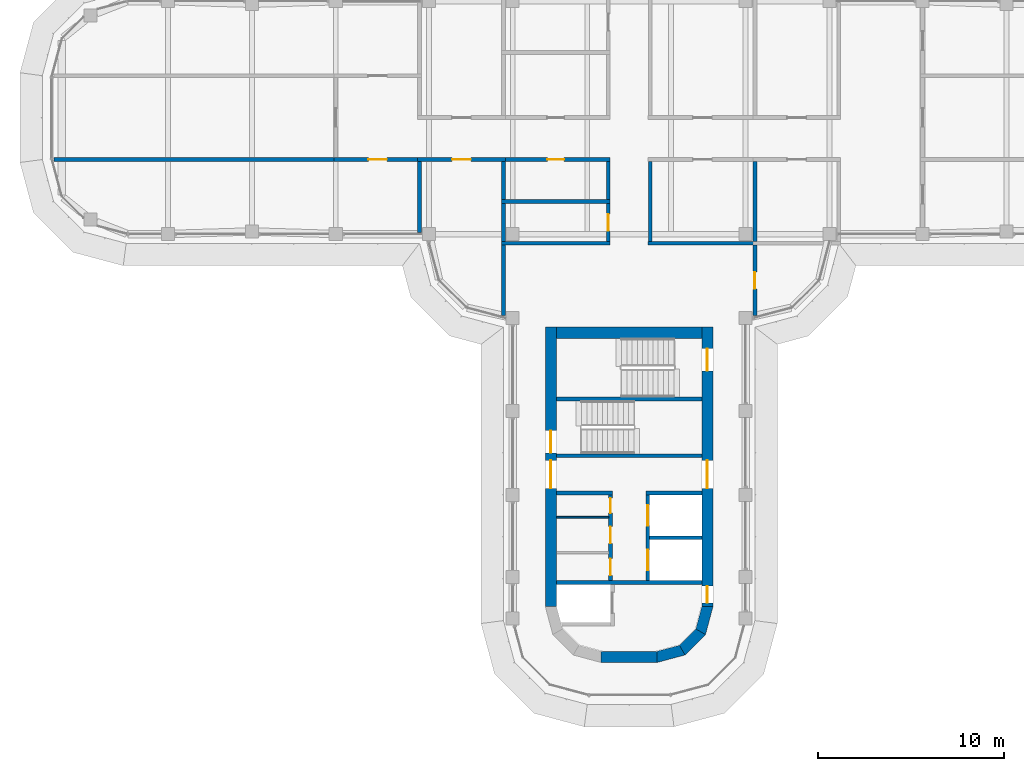
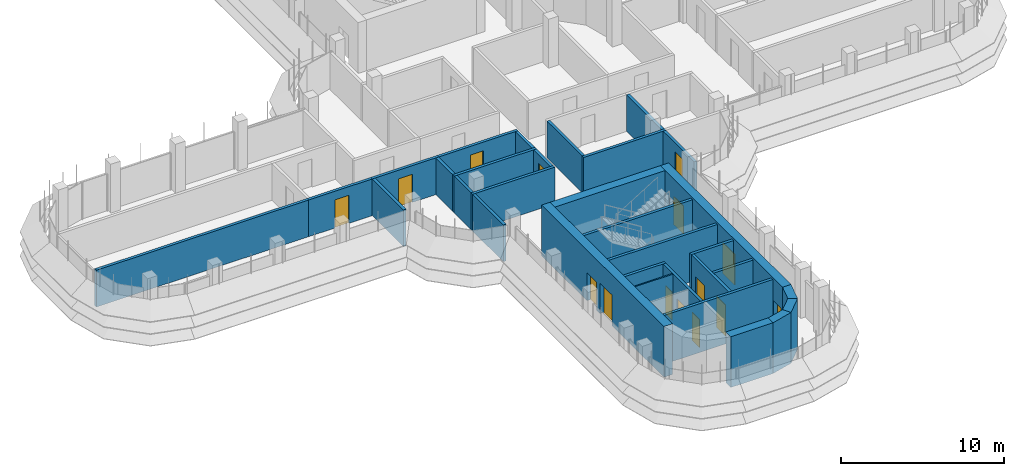
# One storey, part 13 of 19: 32 walls, 15 doors, 15 openings.
"""IFC4 building model written with IfcOpenShell, lengths in metres."""

from ifc_helpers import new_model, si_unit, direction, frame, frame_2d, origin, place, context, subcontext, project, spatial, polyline, rectangle, outline, extrude, material, layer, layer_set, type_object, element, fill, save


model = new_model("IFC4")

# Units and contexts
model_context = context("Model", 3, precision=1e-05, world=origin(), true_north=direction((0.0, 1.0)))
body_context = subcontext(model_context, "Body", "Model", "MODEL_VIEW")
ifc_project = project(units=[si_unit("LENGTHUNIT", "METRE"), si_unit("AREAUNIT", "SQUARE_METRE"), si_unit("VOLUMEUNIT", "CUBIC_METRE"), si_unit("PLANEANGLEUNIT", "RADIAN"), si_unit("MASSUNIT", "GRAM", prefix="KILO")], contexts=[model_context])

# Site, building, storey
site_placement = place(None, origin())
site = spatial("IfcSite", under=ifc_project, at=site_placement, CompositionType="ELEMENT")
building_placement = place(site_placement, origin())
building = spatial("IfcBuilding", under=site, at=building_placement, Name="Zarbagh Exchange Tower", CompositionType="ELEMENT")
storey_placement = place(building_placement, frame((0.0, 0.0, 199.199951171875)))
storey = spatial("IfcBuildingStorey", under=building, at=storey_placement, Name="L48", CompositionType="ELEMENT", Elevation=199.199951171875)

# Wall
ifc_material_1 = material(Name="Dense blockwork", Category="masonry")
ifc_layer_1 = layer(ifc_material_1, 0.10009765625)
ifc_layer_set_1 = layer_set([ifc_layer_1], Name="Core partition 100 mm blockwork")
wall_type_1 = type_object("IfcWallType", Name="Core partition 100 mm blockwork", PredefinedType="PARTITIONING", material=ifc_layer_set_1)
wall_1_placement = place(storey_placement, frame((-1.10009765625, -21.449951171875, 0.0), z_axis=(0.0, 0.0, 1.0), x_axis=(-1.0, 0.0, 0.0)))
element("IfcWall", 1, at=wall_1_placement, inside=storey, type_object=wall_type_1, Name="South core partition wall CUT-E-690", PredefinedType="PARTITIONING", context=body_context, shape_type="SweptSolid", body=[
    extrude(rectangle(XDim=2.7998046875, YDim=0.10009765625, at=frame_2d((1.39990234375, 0.0))), origin(), (0.0, 0.0, 1.0), 3.650146484375),
])

# Wall, opening, door
ifc_material_2 = material(Name="Fire-rated plasterboard partition")
ifc_layer_2 = layer(ifc_material_2, 0.199951171875)
ifc_layer_set_2 = layer_set([ifc_layer_2], Name="RATED PARTITION 200")
wall_type_2 = type_object("IfcWallType", Name="RATED PARTITION 200", PredefinedType="PARTITIONING", material=ifc_layer_set_2)
wall_2_placement = place(storey_placement, frame((-1.02490234375, -2.25, 0.0), z_axis=(0.0, 0.0, 1.0), x_axis=(-1.0, 0.0, 0.0)))
wall_2 = element("IfcWall", 2, at=wall_2_placement, inside=storey, type_object=wall_type_2, Name="Partition W-2107", PredefinedType="PARTITIONING", context=body_context, shape_type="SweptSolid", body=[
    extrude(rectangle(XDim=5.8251953125, YDim=0.199951171875, at=frame_2d((2.91259765625, 0.0))), origin(), (0.0, 0.0, 1.0), 2.75),
])
opening_1_placement = place(wall_2_placement, frame((2.46240234375, 0.0, 0.0)))
opening_1 = element("IfcOpeningElement", 3, at=opening_1_placement, cuts=wall_2, Name="Opening D-2112", PredefinedType="OPENING", context=body_context, shape_type="SweptSolid", body=[
    extrude(rectangle(XDim=0.89990234375, YDim=2.10009765625, at=frame_2d((0.449951171875, 1.050048828125))), frame((0.0, 0.10986328125, 0.0), z_axis=(0.0, -1.0, 0.0), x_axis=(1.0, 0.0, 0.0)), (0.0, 0.0, 1.0), 0.219970703125),
])
ifc_material_3 = material(Name="Timber door leaf", Category="wood")
door_type_1 = type_object("IfcDoorType", Name="DOOR 900 X 2100", OperationType="NOTDEFINED", PredefinedType="DOOR", material=ifc_material_3)
door_1_placement = place(opening_1_placement, origin())
door_1 = element("IfcDoor", 4, at=door_1_placement, inside=storey, type_object=door_type_1, Name="Door D-2112", OperationType="SINGLE_SWING_RIGHT", OverallHeight=2.10009765625, OverallWidth=0.89990234375, PredefinedType="DOOR", context=body_context, shape_type="SweptSolid", body=[
    extrude(rectangle(XDim=0.89990234375, YDim=2.10009765625, at=frame_2d((0.449951171875, 1.050048828125))), frame((0.0, 0.02490234375, 0.0), z_axis=(0.0, -1.0, 0.0), x_axis=(1.0, 0.0, 0.0)), (0.0, 0.0, 1.0), 0.050048828125),
])
fill(opening_1, door_1)

wall_3_placement = place(storey_placement, frame((-6.64990234375, -2.25, 0.0), z_axis=(0.0, 0.0, 1.0), x_axis=(-1.0, 0.0, 0.0)))
wall_3 = element("IfcWall", 5, at=wall_3_placement, inside=storey, type_object=wall_type_2, Name="Partition W-2108", PredefinedType="PARTITIONING", context=body_context, shape_type="SweptSolid", body=[
    extrude(rectangle(XDim=4.7001953125, YDim=0.199951171875, at=frame_2d((2.35009765625, 0.0))), origin(), (0.0, 0.0, 1.0), 2.75),
])
opening_2_placement = place(wall_3_placement, frame((1.85009765625, 0.0, 0.0)))
opening_2 = element("IfcOpeningElement", 6, at=opening_2_placement, cuts=wall_3, Name="Opening D-2114", PredefinedType="OPENING", context=body_context, shape_type="SweptSolid", body=[
    extrude(rectangle(XDim=1.0, YDim=2.10009765625, at=frame_2d((0.5, 1.050048828125))), frame((0.0, 0.10986328125, 0.0), z_axis=(0.0, -1.0, 0.0), x_axis=(1.0, 0.0, 0.0)), (0.0, 0.0, 1.0), 0.219970703125),
])
ifc_material_4 = material(Name="Steel door set", Category="steel")
door_type_2 = type_object("IfcDoorType", Name="FIRE DOOR 1000 X 2100 FD30S", OperationType="NOTDEFINED", PredefinedType="DOOR", material=ifc_material_4)
door_2_placement = place(opening_2_placement, origin())
door_2 = element("IfcDoor", 7, at=door_2_placement, inside=storey, type_object=door_type_2, Name="Door D-2114", OperationType="SINGLE_SWING_RIGHT", OverallHeight=2.10009765625, OverallWidth=1.0, PredefinedType="DOOR", context=body_context, shape_type="SweptSolid", body=[
    extrude(rectangle(XDim=1.0, YDim=2.10009765625, at=frame_2d((0.5, 1.050048828125))), frame((0.0, 0.02490234375, 0.0), z_axis=(0.0, -1.0, 0.0), x_axis=(1.0, 0.0, 0.0)), (0.0, 0.0, 1.0), 0.050048828125),
])
fill(opening_2, door_2)

# Walls
wall_4_placement = place(storey_placement, frame((1.125, -6.64990234375, 0.0), z_axis=(0.0, 0.0, 1.0), x_axis=(0.0, 1.0, 0.0)))
element("IfcWall", 8, at=wall_4_placement, inside=storey, type_object=wall_type_2, Name="Partition W-2112", PredefinedType="PARTITIONING", context=body_context, shape_type="SweptSolid", body=[
    extrude(rectangle(XDim=4.2998046875, YDim=0.199951171875, at=frame_2d((2.14990234375, 0.0))), origin(), (0.0, 0.0, 1.0), 2.75),
])
wall_5_placement = place(storey_placement, frame((-1.125, -4.39990234375, 0.0), z_axis=(0.0, 0.0, 1.0), x_axis=(0.0, 1.0, 0.0)))
element("IfcWall", 9, at=wall_5_placement, inside=storey, type_object=wall_type_2, Name="Partition W-2113", PredefinedType="PARTITIONING", context=body_context, shape_type="SweptSolid", body=[
    extrude(rectangle(XDim=2.0498046875, YDim=0.199951171875, at=frame_2d((1.02490234375, 0.0))), origin(), (0.0, 0.0, 1.0), 2.75),
])

# Wall, opening, door
wall_6_placement = place(storey_placement, frame((-1.125, -6.64990234375, 0.0), z_axis=(0.0, 0.0, 1.0), x_axis=(0.0, 1.0, 0.0)))
wall_6 = element("IfcWall", 10, at=wall_6_placement, inside=storey, type_object=wall_type_2, Name="Partition W-2114", PredefinedType="PARTITIONING", context=body_context, shape_type="SweptSolid", body=[
    extrude(rectangle(XDim=2.0498046875, YDim=0.199951171875, at=frame_2d((1.02490234375, 0.0))), origin(), (0.0, 0.0, 1.0), 2.75),
])
opening_3_placement = place(wall_6_placement, frame((0.574951171875, 0.0, 0.0)))
opening_3 = element("IfcOpeningElement", 11, at=opening_3_placement, cuts=wall_6, Name="Opening D-2113", PredefinedType="OPENING", context=body_context, shape_type="SweptSolid", body=[
    extrude(rectangle(XDim=0.89990234375, YDim=2.10009765625, at=frame_2d((0.449951171875, 1.050048828125))), frame((0.0, 0.10986328125, 0.0), z_axis=(0.0, -1.0, 0.0), x_axis=(1.0, 0.0, 0.0)), (0.0, 0.0, 1.0), 0.219970703125),
])
door_3_placement = place(opening_3_placement, origin())
door_3 = element("IfcDoor", 12, at=door_3_placement, inside=storey, type_object=door_type_1, Name="Door D-2113", OperationType="SINGLE_SWING_RIGHT", OverallHeight=2.10009765625, OverallWidth=0.89990234375, PredefinedType="DOOR", context=body_context, shape_type="SweptSolid", body=[
    extrude(rectangle(XDim=0.89990234375, YDim=2.10009765625, at=frame_2d((0.449951171875, 1.050048828125))), frame((0.0, 0.02490234375, 0.0), z_axis=(0.0, -1.0, 0.0), x_axis=(1.0, 0.0, 0.0)), (0.0, 0.0, 1.0), 0.050048828125),
])
fill(opening_3, door_3)

# Wall
wall_7_placement = place(storey_placement, frame((1.02490234375, -6.75, 0.0), z_axis=(0.0, 0.0, 1.0), x_axis=(1.0, 0.0, 0.0)))
element("IfcWall", 13, at=wall_7_placement, inside=storey, type_object=wall_type_2, Name="Partition W-2119", PredefinedType="PARTITIONING", context=body_context, shape_type="SweptSolid", body=[
    extrude(rectangle(XDim=5.8251953125, YDim=0.199951171875, at=frame_2d((2.91259765625, 0.0))), origin(), (0.0, 0.0, 1.0), 2.75),
])

# Wall, opening, door
wall_8_placement = place(storey_placement, frame((6.75, -6.85009765625, 0.0), z_axis=(0.0, 0.0, 1.0), x_axis=(0.0, -1.0, 0.0)))
wall_8 = element("IfcWall", 14, at=wall_8_placement, inside=storey, type_object=wall_type_2, Name="Partition W-2120", PredefinedType="PARTITIONING", context=body_context, shape_type="SweptSolid", body=[
    extrude(rectangle(XDim=3.77978515625, YDim=0.199951171875, at=frame_2d((1.889892578125, 0.0))), origin(), (0.0, 0.0, 1.0), 2.75),
])
opening_4_placement = place(wall_8_placement, frame((1.43994140625, 0.0, 0.0)))
opening_4 = element("IfcOpeningElement", 15, at=opening_4_placement, cuts=wall_8, Name="Opening D-2111", PredefinedType="OPENING", context=body_context, shape_type="SweptSolid", body=[
    extrude(rectangle(XDim=0.89990234375, YDim=2.10009765625, at=frame_2d((0.449951171875, 1.050048828125))), frame((0.0, 0.10986328125, 0.0), z_axis=(0.0, -1.0, 0.0), x_axis=(1.0, 0.0, 0.0)), (0.0, 0.0, 1.0), 0.219970703125),
])
door_4_placement = place(opening_4_placement, origin())
door_4 = element("IfcDoor", 16, at=door_4_placement, inside=storey, type_object=door_type_1, Name="Door D-2111", OperationType="SINGLE_SWING_LEFT", OverallHeight=2.10009765625, OverallWidth=0.89990234375, PredefinedType="DOOR", context=body_context, shape_type="SweptSolid", body=[
    extrude(rectangle(XDim=0.89990234375, YDim=2.10009765625, at=frame_2d((0.449951171875, 1.050048828125))), frame((0.0, 0.02490234375, 0.0), z_axis=(0.0, -1.0, 0.0), x_axis=(1.0, 0.0, 0.0)), (0.0, 0.0, 1.0), 0.050048828125),
])
fill(opening_4, door_4)

# Walls
wall_9_placement = place(storey_placement, frame((-6.85009765625, -6.75, 0.0), z_axis=(0.0, 0.0, 1.0), x_axis=(1.0, 0.0, 0.0)))
element("IfcWall", 17, at=wall_9_placement, inside=storey, type_object=wall_type_2, Name="Partition W-2121", PredefinedType="PARTITIONING", context=body_context, shape_type="SweptSolid", body=[
    extrude(rectangle(XDim=5.8251953125, YDim=0.199951171875, at=frame_2d((2.91259765625, 0.0))), origin(), (0.0, 0.0, 1.0), 2.75),
])
wall_10_placement = place(storey_placement, frame((-6.75, -10.6298828125, 0.0), z_axis=(0.0, 0.0, 1.0), x_axis=(0.0, 1.0, 0.0)))
element("IfcWall", 18, at=wall_10_placement, inside=storey, type_object=wall_type_2, Name="Partition W-2122", PredefinedType="PARTITIONING", context=body_context, shape_type="SweptSolid", body=[
    extrude(rectangle(XDim=3.77978515625, YDim=0.199951171875, at=frame_2d((1.889892578125, 0.0))), origin(), (0.0, 0.0, 1.0), 2.75),
])
wall_11_placement = place(storey_placement, frame((6.75, -6.64990234375, 0.0), z_axis=(0.0, 0.0, 1.0), x_axis=(0.0, 1.0, 0.0)))
element("IfcWall", 19, at=wall_11_placement, inside=storey, type_object=wall_type_2, Name="Partition W-2130", PredefinedType="PARTITIONING", context=body_context, shape_type="SweptSolid", body=[
    extrude(rectangle(XDim=4.2998046875, YDim=0.199951171875, at=frame_2d((2.14990234375, 0.0))), origin(), (0.0, 0.0, 1.0), 2.75),
])
wall_12_placement = place(storey_placement, frame((-6.85009765625, -4.5, 0.0), z_axis=(0.0, 0.0, 1.0), x_axis=(1.0, 0.0, 0.0)))
element("IfcWall", 20, at=wall_12_placement, inside=storey, type_object=wall_type_2, Name="Partition W-2133", PredefinedType="PARTITIONING", context=body_context, shape_type="SweptSolid", body=[
    extrude(rectangle(XDim=5.8251953125, YDim=0.199951171875, at=frame_2d((2.91259765625, 0.0))), origin(), (0.0, 0.0, 1.0), 2.75),
])
for number, where, z_axis, x_axis, name in (
    (21, (-6.75, -4.39990234375, 0.0), (0.0, 0.0, 1.0), (0.0, 1.0, 0.0), "Partition W-2134"),
    (22, (-6.75, -6.64990234375, 0.0), (0.0, 0.0, 1.0), (0.0, 1.0, 0.0), "Partition W-2135"),
):
    element("IfcWall", number, at=place(storey_placement, frame(where, z_axis=z_axis, x_axis=x_axis)), inside=storey, type_object=wall_type_2, Name=name, PredefinedType="PARTITIONING", context=body_context, shape_type="SweptSolid", body=[
        extrude(rectangle(XDim=2.0498046875, YDim=0.199951171875, at=frame_2d((1.02490234375, 0.0))), origin(), (0.0, 0.0, 1.0), 2.75),
    ])
wall_13_placement = place(storey_placement, frame((-11.25, -6.169921875, 0.0), z_axis=(0.0, 0.0, 1.0), x_axis=(0.0, 1.0, 0.0)))
element("IfcWall", 23, at=wall_13_placement, inside=storey, type_object=wall_type_2, Name="Partition W-2136", PredefinedType="PARTITIONING", context=body_context, shape_type="SweptSolid", body=[
    extrude(rectangle(XDim=3.81982421875, YDim=0.199951171875, at=frame_2d((1.909912109375, 0.0))), origin(), (0.0, 0.0, 1.0), 2.75),
])

# Wall, opening, door
wall_14_placement = place(storey_placement, frame((-11.14990234375, -2.25, 0.0), z_axis=(0.0, 0.0, 1.0), x_axis=(-1.0, 0.0, 0.0)))
wall_14 = element("IfcWall", 24, at=wall_14_placement, inside=storey, type_object=wall_type_2, Name="Partition W-2145", PredefinedType="PARTITIONING", context=body_context, shape_type="SweptSolid", body=[
    extrude(rectangle(XDim=4.7001953125, YDim=0.199951171875, at=frame_2d((2.35009765625, 0.0))), origin(), (0.0, 0.0, 1.0), 2.75),
])
opening_5_placement = place(wall_14_placement, frame((1.85009765625, 0.0, 0.0)))
opening_5 = element("IfcOpeningElement", 25, at=opening_5_placement, cuts=wall_14, Name="Opening D-2117", PredefinedType="OPENING", context=body_context, shape_type="SweptSolid", body=[
    extrude(rectangle(XDim=1.0, YDim=2.10009765625, at=frame_2d((0.5, 1.050048828125))), frame((0.0, 0.10986328125, 0.0), z_axis=(0.0, -1.0, 0.0), x_axis=(1.0, 0.0, 0.0)), (0.0, 0.0, 1.0), 0.219970703125),
])
door_5_placement = place(opening_5_placement, origin())
door_5 = element("IfcDoor", 26, at=door_5_placement, inside=storey, type_object=door_type_2, Name="Door D-2117", OperationType="SINGLE_SWING_RIGHT", OverallHeight=2.10009765625, OverallWidth=1.0, PredefinedType="DOOR", context=body_context, shape_type="SweptSolid", body=[
    extrude(rectangle(XDim=1.0, YDim=2.10009765625, at=frame_2d((0.5, 1.050048828125))), frame((0.0, 0.02490234375, 0.0), z_axis=(0.0, -1.0, 0.0), x_axis=(1.0, 0.0, 0.0)), (0.0, 0.0, 1.0), 0.050048828125),
])
fill(opening_5, door_5)

# Walls
wall_15_placement = place(storey_placement, frame((-30.8798828125, -2.25, 0.0), z_axis=(0.0, 0.0, 1.0), x_axis=(1.0, 0.0, 0.0)))
element("IfcWall", 27, at=wall_15_placement, inside=storey, type_object=wall_type_2, Name="Partition W-2148", PredefinedType="PARTITIONING", context=body_context, shape_type="SweptSolid", body=[
    extrude(rectangle(XDim=15.22998046875, YDim=0.199951171875, at=frame_2d((7.614990234375, 0.0))), origin(), (0.0, 0.0, 1.0), 2.75),
])
ifc_material_5 = material(Name="Concrete C50/60", Category="concrete")
ifc_layer_3 = layer(ifc_material_5, 0.60009765625)
ifc_layer_set_3 = layer_set([ifc_layer_3], Name="RC core corner wall 600 C50/60")
wall_type_3 = type_object("IfcWallType", Name="RC core corner wall 600 C50/60", PredefinedType="SHEAR", material=ifc_layer_set_3)
wall_16_placement = place(storey_placement, origin())
element("IfcWall", 28, at=wall_16_placement, inside=storey, type_object=wall_type_3, Name="CW8 core S corner E", PredefinedType="SHEAR", context=body_context, shape_type="SweptSolid", body=[
    extrude(outline(polyline([(4.5, -26.25), (4.09814453125, -27.75), (3.57861328125, -27.449951171875), (3.89990234375, -26.25), (4.5, -26.25)])), origin(), (0.0, 0.0, 1.0), 3.800048828125),
])
wall_17_placement = place(storey_placement, origin())
element("IfcWall", 29, at=wall_17_placement, inside=storey, type_object=wall_type_3, Name="CW8 core S corner E", PredefinedType="SHEAR", context=body_context, shape_type="SweptSolid", body=[
    extrude(outline(polyline([(4.09814453125, -27.75), (3.0, -28.84814453125), (2.699951171875, -28.32861328125), (3.57861328125, -27.449951171875), (4.09814453125, -27.75)])), origin(), (0.0, 0.0, 1.0), 3.800048828125),
])
wall_18_placement = place(storey_placement, origin())
element("IfcWall", 30, at=wall_18_placement, inside=storey, type_object=wall_type_3, Name="CW8 core S corner E", PredefinedType="SHEAR", context=body_context, shape_type="SweptSolid", body=[
    extrude(outline(polyline([(3.0, -28.84814453125), (1.5, -29.25), (1.5, -28.64990234375), (2.699951171875, -28.32861328125), (3.0, -28.84814453125)])), origin(), (0.0, 0.0, 1.0), 3.800048828125),
])

# Wall, openings, doors
ifc_layer_4 = layer(ifc_material_5, 0.60009765625)
ifc_layer_set_4 = layer_set([ifc_layer_4], Name="RC core wall 600 C50/60")
wall_type_4 = type_object("IfcWallType", Name="RC core wall 600 C50/60", PredefinedType="SHEAR", material=ifc_layer_set_4)
wall_19_placement = place(storey_placement, frame((-4.199951171875, -11.25, 0.0), z_axis=(0.0, 0.0, 1.0), x_axis=(0.0, -1.0, 0.0)))
wall_19 = element("IfcWall", 31, at=wall_19_placement, inside=storey, type_object=wall_type_4, Name="CW7 core S W", PredefinedType="SHEAR", context=body_context, shape_type="SweptSolid", body=[
    extrude(rectangle(XDim=15.0, YDim=0.60009765625, at=frame_2d((7.5, 0.0))), origin(), (0.0, 0.0, 1.0), 3.800048828125),
])
opening_6_placement = place(wall_19_placement, frame((7.14990234375, 0.0, 0.0)))
opening_6 = element("IfcOpeningElement", 32, at=opening_6_placement, cuts=wall_19, Name="Opening CD1-1500", PredefinedType="OPENING", context=body_context, shape_type="SweptSolid", body=[
    extrude(rectangle(XDim=1.5, YDim=2.300048828125, at=frame_2d((0.75, 1.14990234375))), frame((0.0, 0.31005859375, 0.0), z_axis=(0.0, -1.0, 0.0), x_axis=(1.0, 0.0, 0.0)), (0.0, 0.0, 1.0), 0.6201171875),
])
opening_7_placement = place(wall_19_placement, frame((5.550048828125, 0.0, 0.0)))
opening_7 = element("IfcOpeningElement", 33, at=opening_7_placement, cuts=wall_19, Name="Opening SD1-1200", PredefinedType="OPENING", context=body_context, shape_type="SweptSolid", body=[
    extrude(rectangle(XDim=1.199951171875, YDim=2.10009765625, at=frame_2d((0.60009765625, 1.050048828125))), frame((0.0, 0.31005859375, 0.0), z_axis=(0.0, -1.0, 0.0), x_axis=(1.0, 0.0, 0.0)), (0.0, 0.0, 1.0), 0.6201171875),
])
ifc_material_6 = material(Name="Steel", Category="steel")
door_type_3 = type_object("IfcDoorType", Name="Exit stair door 1200 x 2100", OperationType="NOTDEFINED", PredefinedType="DOOR", material=ifc_material_6)
door_6_placement = place(opening_7_placement, origin())
door_6 = element("IfcDoor", 34, at=door_6_placement, inside=storey, type_object=door_type_3, Name="South core stair door ST1", OperationType="SINGLE_SWING_RIGHT", OverallHeight=2.10009765625, OverallWidth=1.199951171875, PredefinedType="DOOR", context=body_context, shape_type="SweptSolid", body=[
    extrude(rectangle(XDim=1.199951171875, YDim=2.10009765625, at=frame_2d((0.60009765625, 1.050048828125))), frame((0.0, 0.02490234375, 0.0), z_axis=(0.0, -1.0, 0.0), x_axis=(1.0, 0.0, 0.0)), (0.0, 0.0, 1.0), 0.050048828125),
])
fill(opening_7, door_6)
door_type_4 = type_object("IfcDoorType", Name="Lift lobby double door 1500 x 2300", OperationType="NOTDEFINED", PredefinedType="DOOR", material=ifc_material_6)
door_7_placement = place(opening_6_placement, origin())
door_7 = element("IfcDoor", 35, at=door_7_placement, inside=storey, type_object=door_type_4, Name="South core lift lobby door LOBBY-E", OperationType="DOUBLE_DOOR_SINGLE_SWING", OverallHeight=2.300048828125, OverallWidth=1.5, PredefinedType="DOOR", context=body_context, shape_type="SweptSolid", body=[
    extrude(rectangle(XDim=1.5, YDim=2.300048828125, at=frame_2d((0.75, 1.14990234375))), frame((0.0, 0.02490234375, 0.0), z_axis=(0.0, -1.0, 0.0), x_axis=(1.0, 0.0, 0.0)), (0.0, 0.0, 1.0), 0.050048828125),
])
fill(opening_6, door_7)

wall_20_placement = place(storey_placement, frame((4.199951171875, -11.25, 0.0), z_axis=(0.0, 0.0, 1.0), x_axis=(0.0, -1.0, 0.0)))
wall_20 = element("IfcWall", 36, at=wall_20_placement, inside=storey, type_object=wall_type_4, Name="CW7 core S E", PredefinedType="SHEAR", context=body_context, shape_type="SweptSolid", body=[
    extrude(rectangle(XDim=15.0, YDim=0.60009765625, at=frame_2d((7.5, 0.0))), origin(), (0.0, 0.0, 1.0), 3.800048828125),
])
opening_8_placement = place(wall_20_placement, frame((7.14990234375, 0.0, 0.0)))
opening_8 = element("IfcOpeningElement", 37, at=opening_8_placement, cuts=wall_20, Name="Opening CD1-1500", PredefinedType="OPENING", context=body_context, shape_type="SweptSolid", body=[
    extrude(rectangle(XDim=1.5, YDim=2.300048828125, at=frame_2d((0.75, 1.14990234375))), frame((0.0, 0.31005859375, 0.0), z_axis=(0.0, -1.0, 0.0), x_axis=(1.0, 0.0, 0.0)), (0.0, 0.0, 1.0), 0.6201171875),
])
opening_9_placement = place(wall_20_placement, frame((13.89990234375, 0.0, 0.0)))
opening_9 = element("IfcOpeningElement", 38, at=opening_9_placement, cuts=wall_20, Name="Opening CD2-900", PredefinedType="OPENING", context=body_context, shape_type="SweptSolid", body=[
    extrude(rectangle(XDim=0.89990234375, YDim=2.10009765625, at=frame_2d((0.449951171875, 1.050048828125))), frame((0.0, 0.31005859375, 0.0), z_axis=(0.0, -1.0, 0.0), x_axis=(1.0, 0.0, 0.0)), (0.0, 0.0, 1.0), 0.6201171875),
])
opening_10_placement = place(wall_20_placement, frame((1.14990234375, 0.0, 0.0)))
opening_10 = element("IfcOpeningElement", 39, at=opening_10_placement, cuts=wall_20, Name="Opening SD1-1200", PredefinedType="OPENING", context=body_context, shape_type="SweptSolid", body=[
    extrude(rectangle(XDim=1.199951171875, YDim=2.10009765625, at=frame_2d((0.60009765625, 1.050048828125))), frame((0.0, 0.31005859375, 0.0), z_axis=(0.0, -1.0, 0.0), x_axis=(1.0, 0.0, 0.0)), (0.0, 0.0, 1.0), 0.6201171875),
])
door_8_placement = place(opening_10_placement, origin())
door_8 = element("IfcDoor", 40, at=door_8_placement, inside=storey, type_object=door_type_3, Name="South core stair door ST2", OperationType="SINGLE_SWING_LEFT", OverallHeight=2.10009765625, OverallWidth=1.199951171875, PredefinedType="DOOR", context=body_context, shape_type="SweptSolid", body=[
    extrude(rectangle(XDim=1.199951171875, YDim=2.10009765625, at=frame_2d((0.60009765625, 1.050048828125))), frame((0.0, 0.02490234375, 0.0), z_axis=(0.0, -1.0, 0.0), x_axis=(1.0, 0.0, 0.0)), (0.0, 0.0, 1.0), 0.050048828125),
])
fill(opening_10, door_8)
door_type_5 = type_object("IfcDoorType", Name="Firefighting lobby door 900 x 2100", OperationType="NOTDEFINED", PredefinedType="DOOR", material=ifc_material_6)
door_9_placement = place(opening_9_placement, origin())
door_9 = element("IfcDoor", 41, at=door_9_placement, inside=storey, type_object=door_type_5, Name="South core firefighting lobby door FF-W", OperationType="SINGLE_SWING_LEFT", OverallHeight=2.10009765625, OverallWidth=0.89990234375, PredefinedType="DOOR", context=body_context, shape_type="SweptSolid", body=[
    extrude(rectangle(XDim=0.89990234375, YDim=2.10009765625, at=frame_2d((0.449951171875, 1.050048828125))), frame((0.0, 0.02490234375, 0.0), z_axis=(0.0, -1.0, 0.0), x_axis=(1.0, 0.0, 0.0)), (0.0, 0.0, 1.0), 0.050048828125),
])
fill(opening_9, door_9)
door_10_placement = place(opening_8_placement, origin())
door_10 = element("IfcDoor", 42, at=door_10_placement, inside=storey, type_object=door_type_4, Name="South core lift lobby door LOBBY-W", OperationType="DOUBLE_DOOR_SINGLE_SWING", OverallHeight=2.300048828125, OverallWidth=1.5, PredefinedType="DOOR", context=body_context, shape_type="SweptSolid", body=[
    extrude(rectangle(XDim=1.5, YDim=2.300048828125, at=frame_2d((0.75, 1.14990234375))), frame((0.0, 0.02490234375, 0.0), z_axis=(0.0, -1.0, 0.0), x_axis=(1.0, 0.0, 0.0)), (0.0, 0.0, 1.0), 0.050048828125),
])
fill(opening_8, door_10)

# Walls
wall_21_placement = place(storey_placement, frame((-3.89990234375, -11.550048828125, 0.0), z_axis=(0.0, 0.0, 1.0), x_axis=(1.0, 0.0, 0.0)))
element("IfcWall", 43, at=wall_21_placement, inside=storey, type_object=wall_type_4, Name="CW7 core S inner end", PredefinedType="SHEAR", context=body_context, shape_type="SweptSolid", body=[
    extrude(rectangle(XDim=7.7998046875, YDim=0.60009765625, at=frame_2d((3.89990234375, 0.0))), origin(), (0.0, 0.0, 1.0), 3.800048828125),
])
wall_22_placement = place(storey_placement, frame((-1.5, -28.949951171875, 0.0), z_axis=(0.0, 0.0, 1.0), x_axis=(1.0, 0.0, 0.0)))
element("IfcWall", 44, at=wall_22_placement, inside=storey, type_object=wall_type_4, Name="CW7 core S outer end", PredefinedType="SHEAR", context=body_context, shape_type="SweptSolid", body=[
    extrude(rectangle(XDim=3.0, YDim=0.60009765625, at=frame_2d((1.5, 0.0))), origin(), (0.0, 0.0, 1.0), 3.800048828125),
])
ifc_layer_5 = layer(ifc_material_1, 0.199951171875)
ifc_layer_set_5 = layer_set([ifc_layer_5], Name="Shaft wall 200 mm blockwork")
wall_type_5 = type_object("IfcWallType", Name="Shaft wall 200 mm blockwork", PredefinedType="PARTITIONING", material=ifc_layer_set_5)
wall_23_placement = place(storey_placement, frame((3.89990234375, -20.14990234375, 0.0), z_axis=(0.0, 0.0, 1.0), x_axis=(-1.0, 0.0, 0.0)))
element("IfcWall", 45, at=wall_23_placement, inside=storey, type_object=wall_type_5, Name="South core shaft wall AB-W", PredefinedType="PARTITIONING", context=body_context, shape_type="SweptSolid", body=[
    extrude(rectangle(XDim=3.0, YDim=0.199951171875, at=frame_2d((1.5, 0.0))), origin(), (0.0, 0.0, 1.0), 3.650146484375),
])

# Wall, openings, doors
wall_24_placement = place(storey_placement, frame((1.0, -24.85009765625, 0.0), z_axis=(0.0, 0.0, 1.0), x_axis=(0.0, 1.0, 0.0)))
wall_24 = element("IfcWall", 46, at=wall_24_placement, inside=storey, type_object=wall_type_5, Name="South core shaft wall LW-W", PredefinedType="PARTITIONING", context=body_context, shape_type="SweptSolid", body=[
    extrude(rectangle(XDim=4.60009765625, YDim=0.199951171875, at=frame_2d((2.300048828125, 0.0))), origin(), (0.0, 0.0, 1.0), 3.650146484375),
])
opening_11_placement = place(wall_24_placement, frame((0.550048828125, 0.0, 0.0)))
opening_11 = element("IfcOpeningElement", 47, at=opening_11_placement, cuts=wall_24, Name="Opening LD-1100", PredefinedType="OPENING", context=body_context, shape_type="SweptSolid", body=[
    extrude(rectangle(XDim=1.10009765625, YDim=2.300048828125, at=frame_2d((0.550048828125, 1.14990234375))), frame((0.0, 0.10986328125, 0.0), z_axis=(0.0, -1.0, 0.0), x_axis=(1.0, 0.0, 0.0)), (0.0, 0.0, 1.0), 0.219970703125),
])
opening_12_placement = place(wall_24_placement, frame((2.949951171875, 0.0, 0.0)))
opening_12 = element("IfcOpeningElement", 48, at=opening_12_placement, cuts=wall_24, Name="Opening LD-1100", PredefinedType="OPENING", context=body_context, shape_type="SweptSolid", body=[
    extrude(rectangle(XDim=1.10009765625, YDim=2.300048828125, at=frame_2d((0.550048828125, 1.14990234375))), frame((0.0, 0.10986328125, 0.0), z_axis=(0.0, -1.0, 0.0), x_axis=(1.0, 0.0, 0.0)), (0.0, 0.0, 1.0), 0.219970703125),
])
ifc_material_7 = material(Name="Stainless steel", Category="steel")
door_type_6 = type_object("IfcDoorType", Name="Lift landing door 1100 x 2300", OperationType="NOTDEFINED", PredefinedType="DOOR", material=ifc_material_7)
door_11_placement = place(opening_11_placement, origin())
door_11 = element("IfcDoor", 49, at=door_11_placement, inside=storey, type_object=door_type_6, Name="South core lift landing door LD-P-S1", OperationType="DOUBLE_DOOR_SLIDING", OverallHeight=2.300048828125, OverallWidth=1.10009765625, PredefinedType="DOOR", context=body_context, shape_type="SweptSolid", body=[
    extrude(rectangle(XDim=1.10009765625, YDim=2.300048828125, at=frame_2d((0.550048828125, 1.14990234375))), frame((0.0, 0.02490234375, 0.0), z_axis=(0.0, -1.0, 0.0), x_axis=(1.0, 0.0, 0.0)), (0.0, 0.0, 1.0), 0.050048828125),
])
fill(opening_11, door_11)
door_12_placement = place(opening_12_placement, origin())
door_12 = element("IfcDoor", 50, at=door_12_placement, inside=storey, type_object=door_type_6, Name="South core lift landing door LD-P-S2", OperationType="DOUBLE_DOOR_SLIDING", OverallHeight=2.300048828125, OverallWidth=1.10009765625, PredefinedType="DOOR", context=body_context, shape_type="SweptSolid", body=[
    extrude(rectangle(XDim=1.10009765625, YDim=2.300048828125, at=frame_2d((0.550048828125, 1.14990234375))), frame((0.0, 0.02490234375, 0.0), z_axis=(0.0, -1.0, 0.0), x_axis=(1.0, 0.0, 0.0)), (0.0, 0.0, 1.0), 0.050048828125),
])
fill(opening_12, door_12)

# Wall
wall_25_placement = place(storey_placement, frame((-0.89990234375, -20.14990234375, 0.0), z_axis=(0.0, 0.0, 1.0), x_axis=(-1.0, 0.0, 0.0)))
element("IfcWall", 51, at=wall_25_placement, inside=storey, type_object=wall_type_5, Name="South core shaft wall AB-E", PredefinedType="PARTITIONING", context=body_context, shape_type="SweptSolid", body=[
    extrude(rectangle(XDim=3.0, YDim=0.199951171875, at=frame_2d((1.5, 0.0))), origin(), (0.0, 0.0, 1.0), 3.650146484375),
])

# Wall, openings, doors
wall_26_placement = place(storey_placement, frame((-1.0, -24.85009765625, 0.0), z_axis=(0.0, 0.0, 1.0), x_axis=(0.0, 1.0, 0.0)))
wall_26 = element("IfcWall", 52, at=wall_26_placement, inside=storey, type_object=wall_type_5, Name="South core shaft wall LW-E", PredefinedType="PARTITIONING", context=body_context, shape_type="SweptSolid", body=[
    extrude(rectangle(XDim=4.60009765625, YDim=0.199951171875, at=frame_2d((2.300048828125, 0.0))), origin(), (0.0, 0.0, 1.0), 3.650146484375),
])
opening_13_placement = place(wall_26_placement, frame((0.27490234375, 0.0, 0.0)))
opening_13 = element("IfcOpeningElement", 53, at=opening_13_placement, cuts=wall_26, Name="Opening CD3-900", PredefinedType="OPENING", context=body_context, shape_type="SweptSolid", body=[
    extrude(rectangle(XDim=0.89990234375, YDim=2.10009765625, at=frame_2d((0.449951171875, 1.050048828125))), frame((0.0, 0.10986328125, 0.0), z_axis=(0.0, -1.0, 0.0), x_axis=(1.0, 0.0, 0.0)), (0.0, 0.0, 1.0), 0.219970703125),
])
opening_14_placement = place(wall_26_placement, frame((2.0, 0.0, 0.0)))
opening_14 = element("IfcOpeningElement", 54, at=opening_14_placement, cuts=wall_26, Name="Opening CD3-900", PredefinedType="OPENING", context=body_context, shape_type="SweptSolid", body=[
    extrude(rectangle(XDim=0.89990234375, YDim=2.10009765625, at=frame_2d((0.449951171875, 1.050048828125))), frame((0.0, 0.10986328125, 0.0), z_axis=(0.0, -1.0, 0.0), x_axis=(1.0, 0.0, 0.0)), (0.0, 0.0, 1.0), 0.219970703125),
])
opening_15_placement = place(wall_26_placement, frame((3.625, 0.0, 0.0)))
opening_15 = element("IfcOpeningElement", 55, at=opening_15_placement, cuts=wall_26, Name="Opening CD3-800", PredefinedType="OPENING", context=body_context, shape_type="SweptSolid", body=[
    extrude(rectangle(XDim=0.800048828125, YDim=2.10009765625, at=frame_2d((0.39990234375, 1.050048828125))), frame((0.0, 0.10986328125, 0.0), z_axis=(0.0, -1.0, 0.0), x_axis=(1.0, 0.0, 0.0)), (0.0, 0.0, 1.0), 0.219970703125),
])
door_type_7 = type_object("IfcDoorType", Name="Core room door 800 x 2100", OperationType="NOTDEFINED", PredefinedType="DOOR", material=ifc_material_6)
door_13_placement = place(opening_15_placement, origin())
door_13 = element("IfcDoor", 56, at=door_13_placement, inside=storey, type_object=door_type_7, Name="South core IT room door RD-E-2", OperationType="SINGLE_SWING_RIGHT", OverallHeight=2.10009765625, OverallWidth=0.800048828125, PredefinedType="DOOR", context=body_context, shape_type="SweptSolid", body=[
    extrude(rectangle(XDim=0.800048828125, YDim=2.10009765625, at=frame_2d((0.39990234375, 1.050048828125))), frame((0.0, 0.02490234375, 0.0), z_axis=(0.0, -1.0, 0.0), x_axis=(1.0, 0.0, 0.0)), (0.0, 0.0, 1.0), 0.050048828125),
])
fill(opening_15, door_13)
door_type_8 = type_object("IfcDoorType", Name="Core room door 900 x 2100", OperationType="NOTDEFINED", PredefinedType="DOOR", material=ifc_material_6)
door_14_placement = place(opening_13_placement, origin())
door_14 = element("IfcDoor", 57, at=door_14_placement, inside=storey, type_object=door_type_8, Name="South core Cleaner's store door RD-E-0", OperationType="SINGLE_SWING_RIGHT", OverallHeight=2.10009765625, OverallWidth=0.89990234375, PredefinedType="DOOR", context=body_context, shape_type="SweptSolid", body=[
    extrude(rectangle(XDim=0.89990234375, YDim=2.10009765625, at=frame_2d((0.449951171875, 1.050048828125))), frame((0.0, 0.02490234375, 0.0), z_axis=(0.0, -1.0, 0.0), x_axis=(1.0, 0.0, 0.0)), (0.0, 0.0, 1.0), 0.050048828125),
])
fill(opening_13, door_14)
door_15_placement = place(opening_14_placement, origin())
door_15 = element("IfcDoor", 58, at=door_15_placement, inside=storey, type_object=door_type_8, Name="South core Pantry door RD-E-1", OperationType="SINGLE_SWING_RIGHT", OverallHeight=2.10009765625, OverallWidth=0.89990234375, PredefinedType="DOOR", context=body_context, shape_type="SweptSolid", body=[
    extrude(rectangle(XDim=0.89990234375, YDim=2.10009765625, at=frame_2d((0.449951171875, 1.050048828125))), frame((0.0, 0.02490234375, 0.0), z_axis=(0.0, -1.0, 0.0), x_axis=(1.0, 0.0, 0.0)), (0.0, 0.0, 1.0), 0.050048828125),
])
fill(opening_14, door_15)

# Walls
wall_27_placement = place(storey_placement, frame((3.89990234375, -22.550048828125, 0.0), z_axis=(0.0, 0.0, 1.0), x_axis=(-1.0, 0.0, 0.0)))
element("IfcWall", 59, at=wall_27_placement, inside=storey, type_object=wall_type_5, Name="South core shaft wall TR-W", PredefinedType="PARTITIONING", context=body_context, shape_type="SweptSolid", body=[
    extrude(rectangle(XDim=2.7998046875, YDim=0.199951171875, at=frame_2d((1.39990234375, 0.0))), origin(), (0.0, 0.0, 1.0), 3.650146484375),
])
ifc_material_8 = material(Name="Concrete C40/50", Category="concrete")
ifc_layer_6 = layer(ifc_material_8, 0.199951171875)
ifc_layer_set_6 = layer_set([ifc_layer_6], Name="Stair enclosure wall 200 mm RC C40/50")
wall_type_6 = type_object("IfcWallType", Name="Stair enclosure wall 200 mm RC C40/50", PredefinedType="SHEAR", material=ifc_layer_set_6)
for number, where, z_axis, x_axis, name in (
    (60, (3.89990234375, -24.949951171875, 0.0), (0.0, 0.0, 1.0), (-1.0, 0.0, 0.0), "South core lift shaft wall FFA"),
    (61, (3.89990234375, -18.14990234375, 0.0), (0.0, 0.0, 1.0), (-1.0, 0.0, 0.0), "South core stair wall BS"),
    (62, (3.89990234375, -15.10009765625, 0.0), (0.0, 0.0, 1.0), (-1.0, 0.0, 0.0), "South core stair wall ST12"),
):
    element("IfcWall", number, at=place(storey_placement, frame(where, z_axis=z_axis, x_axis=x_axis)), inside=storey, type_object=wall_type_6, Name=name, PredefinedType="SHEAR", context=body_context, shape_type="SweptSolid", body=[
        extrude(rectangle(XDim=7.7998046875, YDim=0.199951171875, at=frame_2d((3.89990234375, 0.0))), origin(), (0.0, 0.0, 1.0), 3.650146484375),
    ])

save(model, "model.ifc")
